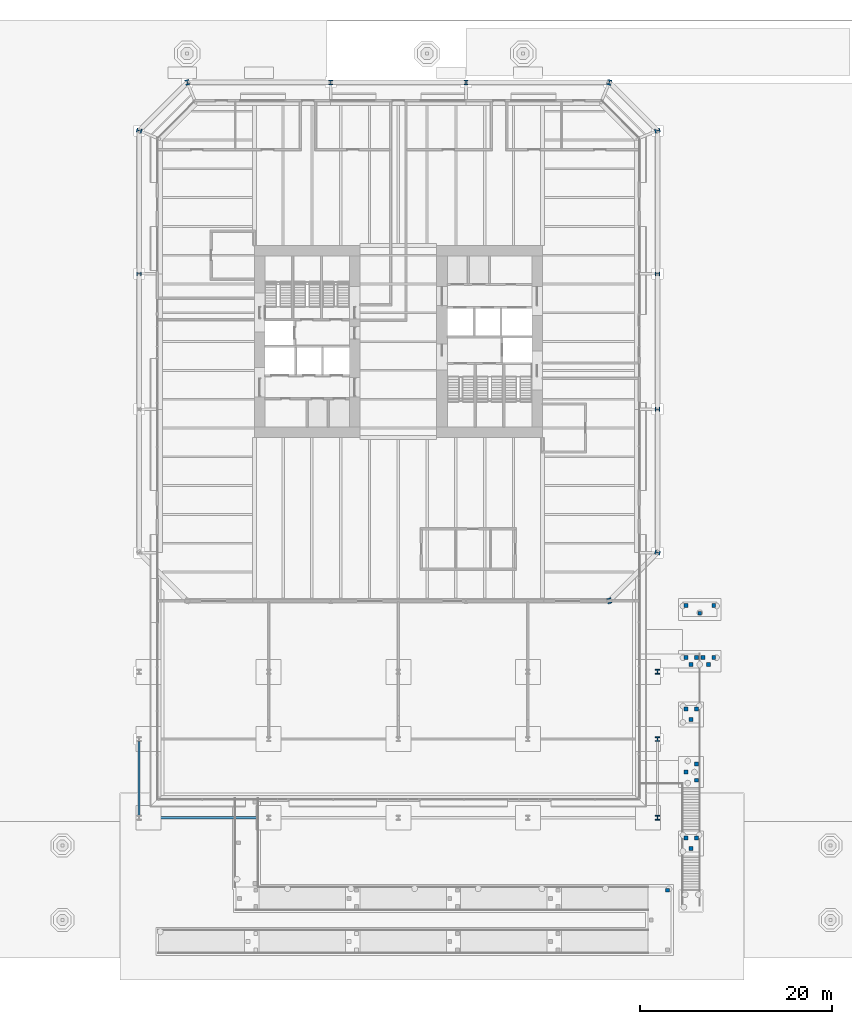
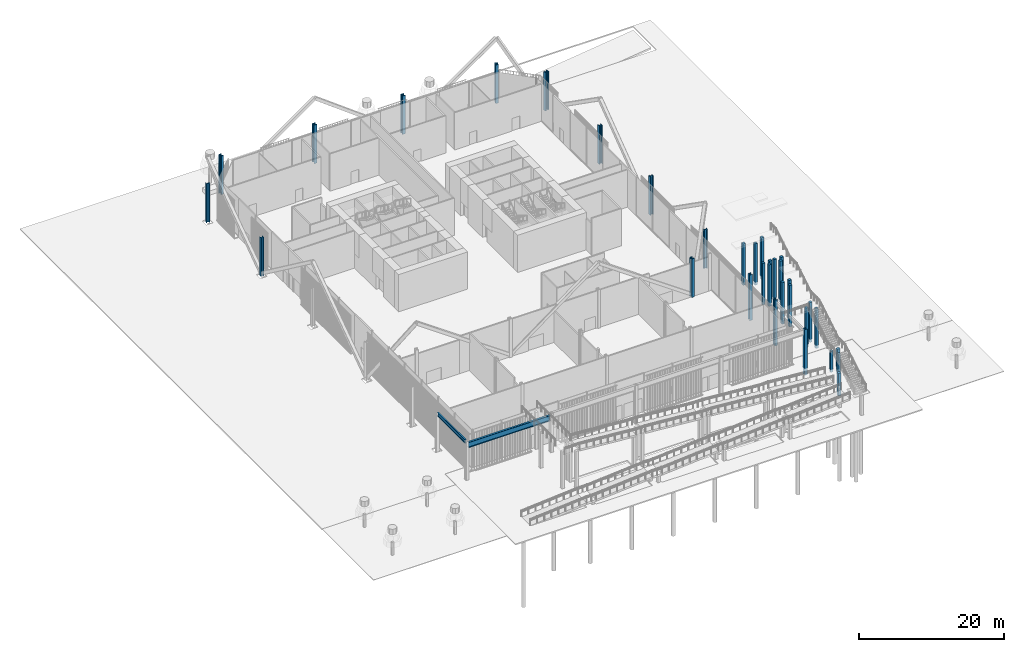
# One storey, part 2 of 28: 33 columns, 2 beams.
"""IFC4 building model written with IfcOpenShell, lengths in metres."""

from ifc_helpers import new_model, si_unit, direction, frame, origin, origin_2d, place, context, subcontext, project, spatial, rectangle, i_section, extrude, material, material_profile, profile_set, type_object, element, save


model = new_model("IFC4")

# Units and contexts
model_context = context("Model", 3, precision=1e-05, world=origin(), true_north=direction((0.0, 1.0)))
body_context = subcontext(model_context, "Body", "Model", "MODEL_VIEW")
ifc_project = project(units=[si_unit("LENGTHUNIT", "METRE"), si_unit("AREAUNIT", "SQUARE_METRE"), si_unit("VOLUMEUNIT", "CUBIC_METRE"), si_unit("PLANEANGLEUNIT", "RADIAN"), si_unit("MASSUNIT", "GRAM", prefix="KILO")], contexts=[model_context])

# Site, building, storey
site_placement = place(None, origin())
site = spatial("IfcSite", under=ifc_project, at=site_placement, CompositionType="ELEMENT")
building_placement = place(site_placement, origin())
building = spatial("IfcBuilding", under=site, at=building_placement, Name="Millrace Tower", CompositionType="ELEMENT")
storey_placement = place(building_placement, origin())
storey = spatial("IfcBuildingStorey", under=building, at=storey_placement, Name="L01", CompositionType="ELEMENT", Elevation=0.0)

# Columns
ifc_material_1 = material(Name="Steel ASTM A913 Grade 65", Category="steel")
ifc_material_profile_1 = material_profile(ifc_material_1, i_section(OverallWidth=0.44189453125, OverallDepth=0.53076171875, WebThickness=0.06591796875, FlangeThickness=0.105712890625, FilletRadius=0.01513671875, at=origin_2d()))
ifc_profile_set_1 = profile_set([ifc_material_profile_1], Name="Steel ASTM A913 Grade 65")
column_type_1 = type_object("IfcColumnType", Name="Exoskeleton column W14x605", PredefinedType="COLUMN", material=ifc_profile_set_1)
for number, where, z_axis, x_axis, name in (
    (1, (27.0, -7.050048828125, 0.0), (0.0, 0.0, 1.0), (0.0, 1.0, 0.0), "COL-A-L01-X07"),
    (2, (27.0, 7.050048828125, 0.0), (0.0, 0.0, 1.0), (0.0, 1.0, 0.0), "COL-A-L01-X08"),
    (3, (7.050048828125, 27.0, 0.0), (0.0, 0.0, 1.0), (-1.0, 0.0, 0.0), "COL-A-L01-X11"),
    (4, (-7.050048828125, 27.0, 0.0), (0.0, 0.0, 1.0), (-1.0, 0.0, 0.0), "COL-A-L01-X12"),
    (5, (-27.0, 7.050048828125, 0.0), (0.0, 0.0, 1.0), (0.0, -1.0, 0.0), "COL-A-L01-X15"),
):
    element("IfcColumn", number, at=place(storey_placement, frame(where, z_axis=z_axis, x_axis=x_axis)), inside=storey, type_object=column_type_1, Name=name, PredefinedType="COLUMN", context=body_context, shape_type="SweptSolid", body=[
        extrude(i_section(OverallWidth=0.44189453125, OverallDepth=0.53076171875, WebThickness=0.06591796875, FlangeThickness=0.105712890625, FilletRadius=0.01513671875, at=origin_2d()), origin(), (0.0, 0.0, 1.0), 6.5),
    ])
ifc_material_2 = material(Name="Steel ASTM A913 Grade 65", Category="steel")
ifc_material_profile_2 = material_profile(ifc_material_2, i_section(OverallWidth=0.45458984375, OverallDepth=0.56884765625, WebThickness=0.077880859375, FlangeThickness=0.124755859375, FilletRadius=0.01513671875, at=origin_2d()))
ifc_profile_set_2 = profile_set([ifc_material_profile_2], Name="Steel ASTM A913 Grade 65")
column_type_2 = type_object("IfcColumnType", Name="Exoskeleton column W14x730", PredefinedType="COLUMN", material=ifc_profile_set_2)
for number, where, z_axis, x_axis, name in (
    (6, (21.978515625, -27.0, 0.0), (0.0, 0.0, 1.0), (0.969751540043, 0.244094142872, 0.0), "COL-A-L01-X05"),
    (7, (27.0, -21.978515625, 0.0), (0.0, 0.0, 1.0), (0.244094142872, 0.969751540043, 0.0), "COL-A-L01-X06"),
    (8, (27.0, 21.978515625, 0.0), (0.0, 0.0, 1.0), (-0.244094142872, 0.969751540043, 0.0), "COL-A-L01-X09"),
    (9, (21.978515625, 27.0, 0.0), (0.0, 0.0, 1.0), (-0.969751540043, 0.244094142872, 0.0), "COL-A-L01-X10"),
    (10, (-21.978515625, 27.0, 0.0), (0.0, 0.0, 1.0), (-0.969751540043, -0.244094142872, 0.0), "COL-A-L01-X13"),
    (11, (-27.0, 21.978515625, 0.0), (0.0, 0.0, 1.0), (-0.244094142872, -0.969751540043, 0.0), "COL-A-L01-X14"),
):
    element("IfcColumn", number, at=place(storey_placement, frame(where, z_axis=z_axis, x_axis=x_axis)), inside=storey, type_object=column_type_2, Name=name, PredefinedType="COLUMN", context=body_context, shape_type="SweptSolid", body=[
        extrude(i_section(OverallWidth=0.45458984375, OverallDepth=0.56884765625, WebThickness=0.077880859375, FlangeThickness=0.124755859375, FilletRadius=0.01513671875, at=origin_2d()), origin(), (0.0, 0.0, 1.0), 6.5),
    ])
ifc_material_3 = material(Name="Concrete C45", Category="concrete")
ifc_material_profile_3 = material_profile(ifc_material_3, rectangle(XDim=0.39990234375, YDim=0.39990234375, at=origin_2d()))
ifc_profile_set_3 = profile_set([ifc_material_profile_3], Name="Concrete C45")
column_type_3 = type_object("IfcColumnType", Name="Landing pier column 400", PredefinedType="COLUMN", material=ifc_profile_set_3)
column_placement = place(storey_placement, frame((28.050048828125, -57.14990234375, -0.5), z_axis=(0.0, 0.0, 1.0), x_axis=(1.0, 0.0, 0.0)))
element("IfcColumn", 12, at=column_placement, inside=storey, type_object=column_type_3, Name="Landing pier column RL-TURN 3", PredefinedType="COLUMN", context=body_context, shape_type="SweptSolid", body=[
    extrude(rectangle(XDim=0.39990234375, YDim=0.39990234375, at=origin_2d()), origin(), (0.0, 0.0, 1.0), 3.81103515625),
])
for number, where, z_axis, x_axis, name in (
    (13, (29.949951171875, -51.7099609375, -0.5), (0.0, 0.0, 1.0), (1.0, 0.0, 0.0), "Landing pier column RP-A-MID 1"),
    (14, (30.5, -52.81005859375, -0.5), (0.0, 0.0, 1.0), (1.0, 0.0, 0.0), "Landing pier column RP-A-MID 2"),
    (15, (31.050048828125, -51.7099609375, -0.5), (0.0, 0.0, 1.0), (1.0, 0.0, 0.0), "Landing pier column RP-A-MID 3"),
):
    element("IfcColumn", number, at=place(storey_placement, frame(where, z_axis=z_axis, x_axis=x_axis)), inside=storey, type_object=column_type_3, Name=name, PredefinedType="COLUMN", context=body_context, shape_type="SweptSolid", body=[
        extrude(rectangle(XDim=0.39990234375, YDim=0.39990234375, at=origin_2d()), origin(), (0.0, 0.0, 1.0), 3.529296875),
    ])
for number, where, z_axis, x_axis, name in (
    (16, (31.050048828125, -45.68994140625, -0.5), (0.0, 0.0, 1.0), (1.0, 0.0, 0.0), "Landing pier column RP-A-TOP 1"),
    (17, (29.949951171875, -44.840087890625, -0.5), (0.0, 0.0, 1.0), (1.0, 0.0, 0.0), "Landing pier column RP-A-TOP 2"),
    (18, (31.050048828125, -43.989990234375, -0.5), (0.0, 0.0, 1.0), (1.0, 0.0, 0.0), "Landing pier column RP-A-TOP 3"),
):
    element("IfcColumn", number, at=place(storey_placement, frame(where, z_axis=z_axis, x_axis=x_axis)), inside=storey, type_object=column_type_3, Name=name, PredefinedType="COLUMN", context=body_context, shape_type="SweptSolid", body=[
        extrude(rectangle(XDim=0.39990234375, YDim=0.39990234375, at=origin_2d()), origin(), (0.0, 0.0, 1.0), 6.699951171875),
    ])
for number, where, z_axis, x_axis, name in (
    (19, (29.949951171875, -38.27001953125, -0.5), (0.0, 0.0, 1.0), (1.0, 0.0, 0.0), "Landing pier column RP-B-MID 1"),
    (20, (30.5, -39.3701171875, -0.5), (0.0, 0.0, 1.0), (1.0, 0.0, 0.0), "Landing pier column RP-B-MID 2"),
    (21, (31.050048828125, -38.27001953125, -0.5), (0.0, 0.0, 1.0), (1.0, 0.0, 0.0), "Landing pier column RP-B-MID 3"),
    (22, (29.949951171875, -32.909912109375, -0.5), (0.0, 0.0, 1.0), (1.0, 0.0, 0.0), "Landing pier column RP-B-TOP 1"),
    (23, (30.5, -33.64990234375, -0.5), (0.0, 0.0, 1.0), (1.0, 0.0, 0.0), "Landing pier column RP-B-TOP 2"),
    (24, (31.050048828125, -32.909912109375, -0.5), (0.0, 0.0, 1.0), (1.0, 0.0, 0.0), "Landing pier column RP-B-TOP 3"),
    (25, (29.949951171875, -27.489990234375, -0.5), (0.0, 0.0, 1.0), (1.0, 0.0, 0.0), "Landing pier column RP-C-MID 1"),
    (26, (31.39990234375, -28.2900390625, -0.5), (0.0, 0.0, 1.0), (1.0, 0.0, 0.0), "Landing pier column RP-C-MID 2"),
    (27, (32.85009765625, -27.489990234375, -0.5), (0.0, 0.0, 1.0), (1.0, 0.0, 0.0), "Landing pier column RP-C-MID 3"),
    (28, (31.75, -32.909912109375, -0.5), (0.0, 0.0, 1.0), (1.0, 0.0, 0.0), "Landing pier column RP-C-TOP 1"),
    (29, (32.300048828125, -33.64990234375, -0.5), (0.0, 0.0, 1.0), (1.0, 0.0, 0.0), "Landing pier column RP-C-TOP 2"),
    (30, (32.85009765625, -32.909912109375, -0.5), (0.0, 0.0, 1.0), (1.0, 0.0, 0.0), "Landing pier column RP-C-TOP 3"),
):
    element("IfcColumn", number, at=place(storey_placement, frame(where, z_axis=z_axis, x_axis=x_axis)), inside=storey, type_object=column_type_3, Name=name, PredefinedType="COLUMN", context=body_context, shape_type="SweptSolid", body=[
        extrude(rectangle(XDim=0.39990234375, YDim=0.39990234375, at=origin_2d()), origin(), (0.0, 0.0, 1.0), 7.0),
    ])
ifc_material_4 = material(Name="Steel ASTM A913 Grade 65", Category="steel")
ifc_material_profile_4 = material_profile(ifc_material_4, i_section(OverallWidth=0.431884765625, OverallDepth=0.497802734375, WebThickness=0.0556640625, FlangeThickness=0.0888671875, FilletRadius=0.01513671875, at=origin_2d()))
ifc_profile_set_4 = profile_set([ifc_material_profile_4], Name="Steel ASTM A913 Grade 65")
column_type_4 = type_object("IfcColumnType", Name="Wing column W14x500", PredefinedType="COLUMN", material=ifc_profile_set_4)
for number, where, z_axis, x_axis, name in (
    (31, (27.0, -49.60009765625, -1.199951171875), (0.0, 0.0, 1.0), (1.0, 0.0, 0.0), "COL-AW1-L01-X07"),
    (32, (27.0, -41.39990234375, -1.199951171875), (0.0, 0.0, 1.0), (1.0, 0.0, 0.0), "COL-AW2-L01-X06"),
    (33, (27.0, -34.39990234375, -1.199951171875), (0.0, 0.0, 1.0), (1.0, 0.0, 0.0), "COL-AW3-L01-X05"),
):
    element("IfcColumn", number, at=place(storey_placement, frame(where, z_axis=z_axis, x_axis=x_axis)), inside=storey, type_object=column_type_4, Name=name, PredefinedType="COLUMN", context=body_context, shape_type="SweptSolid", body=[
        extrude(i_section(OverallWidth=0.431884765625, OverallDepth=0.497802734375, WebThickness=0.0556640625, FlangeThickness=0.0888671875, FilletRadius=0.01513671875, at=origin_2d()), origin(), (0.0, 0.0, 1.0), 7.699951171875),
    ])

# Beams
ifc_material_5 = material(Name="Steel ASTM A992 Grade 50", Category="steel")
ifc_material_profile_5 = material_profile(ifc_material_5, i_section(OverallWidth=0.307373046875, OverallDepth=0.927001953125, WebThickness=0.01953125, FlangeThickness=0.031982421875, FilletRadius=0.01904296875, at=origin_2d()))
ifc_profile_set_5 = profile_set([ifc_material_profile_5], Name="Steel ASTM A992 Grade 50")
beam_type_1 = type_object("IfcBeamType", Name="Terrace edge beam W36x194", PredefinedType="BEAM", material=ifc_profile_set_5)
beam_1_placement = place(storey_placement, frame((-26.7841796875, -49.60009765625, 5.736328125), z_axis=(1.0, 0.0, 0.0), x_axis=(0.0, 1.0, 0.0)))
element("IfcBeam", 34, at=beam_1_placement, inside=storey, type_object=beam_type_1, Name="BM-WING-L01-EDGE01", PredefinedType="BEAM", context=body_context, shape_type="SweptSolid", body=[
    extrude(i_section(OverallWidth=0.307373046875, OverallDepth=0.927001953125, WebThickness=0.01953125, FlangeThickness=0.031982421875, FilletRadius=0.01904296875, at=origin_2d()), origin(), (0.0, 0.0, 1.0), 13.068359375),
])
ifc_material_6 = material(Name="Steel ASTM A992 Grade 50", Category="steel")
ifc_material_profile_6 = material_profile(ifc_material_6, i_section(OverallWidth=0.23046875, OverallDepth=0.6171875, WebThickness=0.01318359375, FlangeThickness=0.022216796875, FilletRadius=0.012939453125, at=origin_2d()))
ifc_profile_set_6 = profile_set([ifc_material_profile_6], Name="Steel ASTM A992 Grade 50")
beam_type_2 = type_object("IfcBeamType", Name="Terrace tie beam W24x94", PredefinedType="BEAM", material=ifc_profile_set_6)
beam_2_placement = place(storey_placement, frame((-27.0, -49.35107421875, 6.19140625), z_axis=(0.0, 1.0, 0.0), x_axis=(-1.0, 0.0, 0.0)))
element("IfcBeam", 35, at=beam_2_placement, inside=storey, type_object=beam_type_2, Name="BM-WING-L01-TIEW", PredefinedType="BEAM", context=body_context, shape_type="SweptSolid", body=[
    extrude(i_section(OverallWidth=0.23046875, OverallDepth=0.6171875, WebThickness=0.01318359375, FlangeThickness=0.022216796875, FilletRadius=0.012939453125, at=origin_2d()), origin(), (0.0, 0.0, 1.0), 7.7021484375),
])

save(model, "model.ifc")
